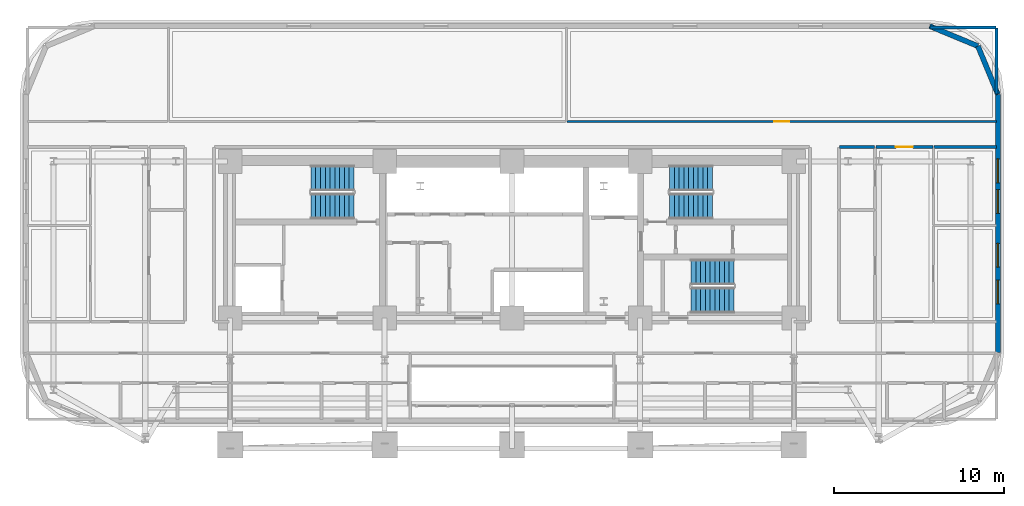
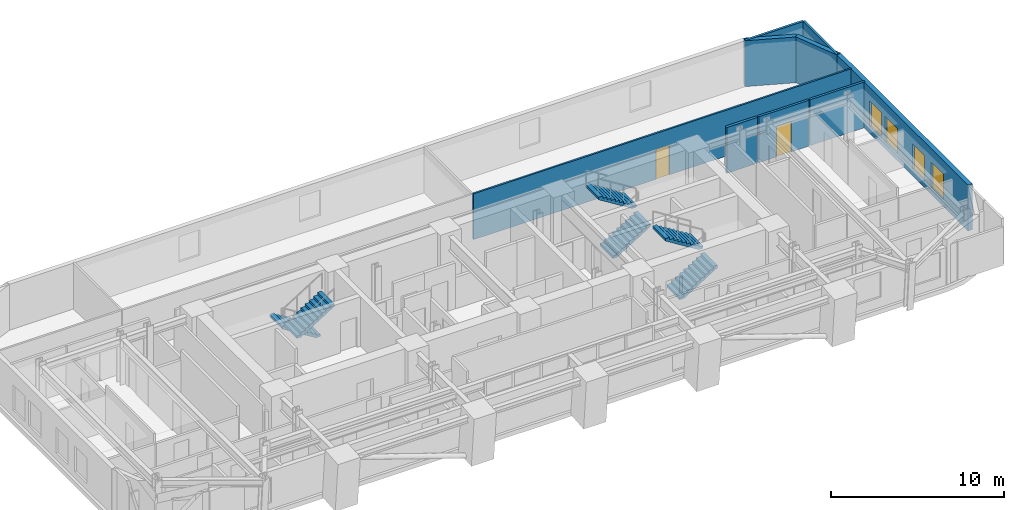
# One storey, part 12 of 16: 9 walls, 6 stair flights, 4 windows, 2 doors, 6 openings, 3 elements without a shape of their own.
"""IFC4 building model written with IfcOpenShell, lengths in metres."""

from ifc_helpers import new_model, si_unit, direction, frame, frame_2d, origin, place, context, subcontext, project, spatial, polyline, rectangle, outline, extrude, material, layer, layer_set, type_object, element, fill, aggregate, save


model = new_model("IFC4")

# Units and contexts
model_context = context("Model", 3, precision=1e-05, world=origin(), true_north=direction((0.0, 1.0)))
body_context = subcontext(model_context, "Body", "Model", "MODEL_VIEW")
ifc_project = project(units=[si_unit("LENGTHUNIT", "METRE"), si_unit("AREAUNIT", "SQUARE_METRE"), si_unit("VOLUMEUNIT", "CUBIC_METRE"), si_unit("PLANEANGLEUNIT", "RADIAN"), si_unit("MASSUNIT", "GRAM", prefix="KILO")], contexts=[model_context])

# Site, building, storey
site_placement = place(None, origin())
site = spatial("IfcSite", under=ifc_project, at=site_placement, CompositionType="ELEMENT")
building_placement = place(site_placement, origin())
building = spatial("IfcBuilding", under=site, at=building_placement, Name="Zarnavel Station Tower", CompositionType="ELEMENT")
storey_placement = place(building_placement, frame((0.0, 0.0, 64.0)))
storey = spatial("IfcBuildingStorey", under=building, at=storey_placement, Name="L17", CompositionType="ELEMENT", Elevation=64.0)

# Wall, openings, windows
ifc_material_1 = material(Name="Precast concrete C45/55 (Dark Basalt Finish)", Category="masonry")
ifc_layer_1 = layer(ifc_material_1, 0.300048828125)
ifc_layer_set_1 = layer_set([ifc_layer_1], Name="EW_BASALT_300")
wall_type_1 = type_object("IfcWallType", Name="EW_BASALT_300", PredefinedType="SOLIDWALL", material=ifc_layer_set_1)
wall_1_placement = place(storey_placement, frame((57.419921875, 41.0, 0.0), z_axis=(0.0, 0.0, 1.0), x_axis=(0.0, -1.0, 0.0)))
wall_1 = element("IfcWall", 1, at=wall_1_placement, inside=storey, type_object=wall_type_1, Name="L17 Exterior Basalt Masonry Frame Wall 03", PredefinedType="SOLIDWALL", context=body_context, shape_type="SweptSolid", body=[
    extrude(rectangle(XDim=15.199951171875, YDim=0.300048828125, at=frame_2d((7.60009765625, 0.0))), origin(), (0.0, 0.0, 1.0), 3.239990234375),
])
opening_1_placement = place(wall_1_placement, frame((8.78076171875, 0.0, 0.47998046875)))
opening_1 = element("IfcOpeningElement", 2, at=opening_1_placement, cuts=wall_1, Name="Opening WN01", PredefinedType="OPENING", context=body_context, shape_type="SweptSolid", body=[
    extrude(rectangle(XDim=1.39990234375, YDim=1.800048828125, at=frame_2d((0.699951171875, 0.89990234375))), frame((0.0, 0.159912109375, 0.0), z_axis=(0.0, -1.0, 0.0), x_axis=(1.0, 0.0, 0.0)), (0.0, 0.0, 1.0), 0.320068359375),
])
opening_2_placement = place(wall_1_placement, frame((10.940185546875, 0.0, 0.47998046875)))
opening_2 = element("IfcOpeningElement", 3, at=opening_2_placement, cuts=wall_1, Name="Opening WN01", PredefinedType="OPENING", context=body_context, shape_type="SweptSolid", body=[
    extrude(rectangle(XDim=1.39990234375, YDim=1.800048828125, at=frame_2d((0.699951171875, 0.89990234375))), frame((0.0, 0.159912109375, 0.0), z_axis=(0.0, -1.0, 0.0), x_axis=(1.0, 0.0, 0.0)), (0.0, 0.0, 1.0), 0.320068359375),
])
opening_3_placement = place(wall_1_placement, frame((3.806884765625, 0.0, 0.47998046875)))
opening_3 = element("IfcOpeningElement", 4, at=opening_3_placement, cuts=wall_1, Name="Opening WN01", PredefinedType="OPENING", context=body_context, shape_type="SweptSolid", body=[
    extrude(rectangle(XDim=1.39990234375, YDim=1.800048828125, at=frame_2d((0.699951171875, 0.89990234375))), frame((0.0, 0.159912109375, 0.0), z_axis=(0.0, -1.0, 0.0), x_axis=(1.0, 0.0, 0.0)), (0.0, 0.0, 1.0), 0.320068359375),
])
opening_4_placement = place(wall_1_placement, frame((5.614013671875, 0.0, 0.47998046875)))
opening_4 = element("IfcOpeningElement", 5, at=opening_4_placement, cuts=wall_1, Name="Opening WN01", PredefinedType="OPENING", context=body_context, shape_type="SweptSolid", body=[
    extrude(rectangle(XDim=1.39990234375, YDim=1.800048828125, at=frame_2d((0.699951171875, 0.89990234375))), frame((0.0, 0.159912109375, 0.0), z_axis=(0.0, -1.0, 0.0), x_axis=(1.0, 0.0, 0.0)), (0.0, 0.0, 1.0), 0.320068359375),
])
ifc_material_2 = material(Name="Thermally Broken Black Aluminium and Low-E Dark Glass", Category="aluminium")
window_type = type_object("IfcWindowType", Name="WN_1400x1800", PartitioningType="DOUBLE_PANEL_VERTICAL", PredefinedType="WINDOW", material=ifc_material_2)
window_1_placement = place(opening_1_placement, origin())
window_1 = element("IfcWindow", 6, at=window_1_placement, inside=storey, type_object=window_type, Name="L17 Recessed Facade Window 01", OverallHeight=1.800048828125, OverallWidth=1.39990234375, PartitioningType="SINGLE_PANEL", PredefinedType="WINDOW", context=body_context, shape_type="SweptSolid", body=[
    extrude(rectangle(XDim=1.39990234375, YDim=1.800048828125, at=frame_2d((0.699951171875, 0.89990234375))), frame((0.0, 0.030029296875, 0.0), z_axis=(0.0, -1.0, 0.0), x_axis=(1.0, 0.0, 0.0)), (0.0, 0.0, 1.0), 0.06005859375),
])
fill(opening_1, window_1)
window_2_placement = place(opening_2_placement, origin())
window_2 = element("IfcWindow", 7, at=window_2_placement, inside=storey, type_object=window_type, Name="L17 Recessed Facade Window 02", OverallHeight=1.800048828125, OverallWidth=1.39990234375, PartitioningType="SINGLE_PANEL", PredefinedType="WINDOW", context=body_context, shape_type="SweptSolid", body=[
    extrude(rectangle(XDim=1.39990234375, YDim=1.800048828125, at=frame_2d((0.699951171875, 0.89990234375))), frame((0.0, 0.030029296875, 0.0), z_axis=(0.0, -1.0, 0.0), x_axis=(1.0, 0.0, 0.0)), (0.0, 0.0, 1.0), 0.06005859375),
])
fill(opening_2, window_2)
window_3_placement = place(opening_3_placement, origin())
window_3 = element("IfcWindow", 8, at=window_3_placement, inside=storey, type_object=window_type, Name="L17 Recessed Facade Window 03", OverallHeight=1.800048828125, OverallWidth=1.39990234375, PartitioningType="SINGLE_PANEL", PredefinedType="WINDOW", context=body_context, shape_type="SweptSolid", body=[
    extrude(rectangle(XDim=1.39990234375, YDim=1.800048828125, at=frame_2d((0.699951171875, 0.89990234375))), frame((0.0, 0.030029296875, 0.0), z_axis=(0.0, -1.0, 0.0), x_axis=(1.0, 0.0, 0.0)), (0.0, 0.0, 1.0), 0.06005859375),
])
fill(opening_3, window_3)
window_4_placement = place(opening_4_placement, origin())
window_4 = element("IfcWindow", 9, at=window_4_placement, inside=storey, type_object=window_type, Name="L17 Recessed Facade Window 04", OverallHeight=1.800048828125, OverallWidth=1.39990234375, PartitioningType="SINGLE_PANEL", PredefinedType="WINDOW", context=body_context, shape_type="SweptSolid", body=[
    extrude(rectangle(XDim=1.39990234375, YDim=1.800048828125, at=frame_2d((0.699951171875, 0.89990234375))), frame((0.0, 0.030029296875, 0.0), z_axis=(0.0, -1.0, 0.0), x_axis=(1.0, 0.0, 0.0)), (0.0, 0.0, 1.0), 0.06005859375),
])
fill(opening_4, window_4)

# Walls
wall_2_placement = place(storey_placement, frame((56.24267578125, 43.842529296875, 0.0), z_axis=(0.0, 0.0, 1.0), x_axis=(0.382636798336, -0.92389884758, 0.0)))
element("IfcWall", 10, at=wall_2_placement, inside=storey, type_object=wall_type_1, Name="L17 Exterior Basalt Masonry Frame Wall 04", PredefinedType="SOLIDWALL", context=body_context, shape_type="SweptSolid", body=[
    extrude(rectangle(XDim=3.07666015625, YDim=0.300048828125, at=frame_2d((1.538330078125, 0.0))), origin(), (0.0, 0.0, 1.0), 3.239990234375),
])
wall_3_placement = place(storey_placement, frame((53.39990234375, 45.02001953125, 0.0), z_axis=(0.0, 0.0, 1.0), x_axis=(0.923882414032, -0.382676475685, 0.0)))
element("IfcWall", 11, at=wall_3_placement, inside=storey, type_object=wall_type_1, Name="L17 Exterior Basalt Masonry Frame Wall 05", PredefinedType="SOLIDWALL", context=body_context, shape_type="SweptSolid", body=[
    extrude(rectangle(XDim=3.076904296875, YDim=0.300048828125, at=frame_2d((1.53857421875, 0.0))), origin(), (0.0, 0.0, 1.0), 3.239990234375),
])

# Wall, opening, door
ifc_material_3 = material(Name="Gypsum Twin-Stud Acoustic Fire Partition", Category="concrete")
ifc_layer_2 = layer(ifc_material_3, 0.159912109375)
ifc_layer_set_2 = layer_set([ifc_layer_2], Name="PT_DEMISE_160")
wall_type_2 = type_object("IfcWallType", Name="PT_DEMISE_160", PredefinedType="PARTITIONING", material=ifc_layer_set_2)
wall_4_placement = place(storey_placement, frame((50.22705078125, 37.89990234375, 0.0), z_axis=(0.0, 0.0, 1.0), x_axis=(1.0, 0.0, 0.0)))
wall_4 = element("IfcWall", 12, at=wall_4_placement, inside=storey, type_object=wall_type_2, Name="L17 Partition COR-N-FNELV", PredefinedType="PARTITIONING", context=body_context, shape_type="SweptSolid", body=[
    extrude(rectangle(XDim=3.35693359375, YDim=0.159912109375, at=frame_2d((1.678466796875, 0.0))), origin(), (0.0, 0.0, 1.0), 3.239990234375),
])
opening_5_placement = place(wall_4_placement, frame((1.178466796875, 0.0, 0.0)))
opening_5 = element("IfcOpeningElement", 13, at=opening_5_placement, cuts=wall_4, Name="Opening FD02", PredefinedType="OPENING", context=body_context, shape_type="SweptSolid", body=[
    extrude(rectangle(XDim=1.0, YDim=2.14990234375, at=frame_2d((0.5, 1.074951171875))), frame((0.0, 0.08984375, 0.0), z_axis=(0.0, -1.0, 0.0), x_axis=(1.0, 0.0, 0.0)), (0.0, 0.0, 1.0), 0.179931640625),
])
ifc_material_4 = material(Name="Painted Galvanised Steel and Hardwood Leaf", Category="steel")
door_type_1 = type_object("IfcDoorType", Name="ID_ENTRY_1000", OperationType="NOTDEFINED", PredefinedType="DOOR", material=ifc_material_4)
door_1_placement = place(opening_5_placement, origin())
door_1 = element("IfcDoor", 14, at=door_1_placement, inside=storey, type_object=door_type_1, Name="L17 Door COR-N-FNELV", OperationType="SINGLE_SWING_LEFT", OverallHeight=2.14990234375, OverallWidth=1.0, PredefinedType="DOOR", context=body_context, shape_type="SweptSolid", body=[
    extrude(rectangle(XDim=1.0, YDim=2.14990234375, at=frame_2d((0.5, 1.074951171875))), frame((0.0, 0.02490234375, 0.0), z_axis=(0.0, -1.0, 0.0), x_axis=(1.0, 0.0, 0.0)), (0.0, 0.0, 1.0), 0.050048828125),
])
fill(opening_5, door_1)

# Walls
wall_5_placement = place(storey_placement, frame((53.6640625, 37.89990234375, 0.0), z_axis=(0.0, 0.0, 1.0), x_axis=(1.0, 0.0, 0.0)))
element("IfcWall", 15, at=wall_5_placement, inside=storey, type_object=wall_type_2, Name="L17 Partition COR-N-FNEB2", PredefinedType="PARTITIONING", context=body_context, shape_type="SweptSolid", body=[
    extrude(rectangle(XDim=3.676025390625, YDim=0.159912109375, at=frame_2d((1.837890625, 0.0))), origin(), (0.0, 0.0, 1.0), 3.239990234375),
])
wall_6_placement = place(storey_placement, frame((53.429931640625, 44.93994140625, 0.0), z_axis=(0.0, 0.0, 1.0), x_axis=(1.0, 0.0, 0.0)))
element("IfcWall", 16, at=wall_6_placement, inside=storey, type_object=wall_type_2, Name="L17 Enclosure Wall NL5B", PredefinedType="PARTITIONING", context=body_context, shape_type="SweptSolid", body=[
    extrude(rectangle(XDim=3.880126953125, YDim=0.159912109375, at=frame_2d((1.93994140625, 0.0))), origin(), (0.0, 0.0, 1.0), 3.239990234375),
])
wall_7_placement = place(storey_placement, frame((57.340087890625, 41.030029296875, 0.0), z_axis=(0.0, 0.0, 1.0), x_axis=(0.0, 1.0, 0.0)))
element("IfcWall", 17, at=wall_7_placement, inside=storey, type_object=wall_type_2, Name="L17 Enclosure Wall NL5B", PredefinedType="PARTITIONING", context=body_context, shape_type="SweptSolid", body=[
    extrude(rectangle(XDim=3.8798828125, YDim=0.159912109375, at=frame_2d((1.93994140625, 0.0))), origin(), (0.0, 0.0, 1.0), 3.239990234375),
])

# Wall, opening, door
ifc_material_5 = material(Name="Gypsum Metal-Stud Interior Partition", Category="concrete")
ifc_layer_3 = layer(ifc_material_5, 0.1201171875)
ifc_layer_set_3 = layer_set([ifc_layer_3], Name="PT_ROOM_120")
wall_type_3 = type_object("IfcWallType", Name="PT_ROOM_120", PredefinedType="PARTITIONING", material=ifc_layer_set_3)
wall_8_placement = place(storey_placement, frame((32.0400390625, 39.39990234375, 0.0), z_axis=(0.0, 0.0, 1.0), x_axis=(1.0, 0.0, 0.0)))
wall_8 = element("IfcWall", 18, at=wall_8_placement, inside=storey, type_object=wall_type_3, Name="L17 Partition COR-N-NL5B", PredefinedType="PARTITIONING", context=body_context, shape_type="SweptSolid", body=[
    extrude(rectangle(XDim=25.300048828125, YDim=0.1201171875, at=frame_2d((12.64990234375, 0.0))), origin(), (0.0, 0.0, 1.0), 3.239990234375),
])
opening_6_placement = place(wall_8_placement, frame((12.199951171875, 0.0, 0.0)))
opening_6 = element("IfcOpeningElement", 19, at=opening_6_placement, cuts=wall_8, Name="Opening ID01", PredefinedType="OPENING", context=body_context, shape_type="SweptSolid", body=[
    extrude(rectangle(XDim=0.89990234375, YDim=2.10009765625, at=frame_2d((0.449951171875, 1.050048828125))), frame((0.0, 0.070068359375, 0.0), z_axis=(0.0, -1.0, 0.0), x_axis=(1.0, 0.0, 0.0)), (0.0, 0.0, 1.0), 0.14013671875),
])
ifc_material_6 = material(Name="Painted Galvanised Steel and Hardwood Leaf", Category="steel")
door_type_2 = type_object("IfcDoorType", Name="ID_ROOM_900", OperationType="NOTDEFINED", PredefinedType="DOOR", material=ifc_material_6)
door_2_placement = place(opening_6_placement, origin())
door_2 = element("IfcDoor", 20, at=door_2_placement, inside=storey, type_object=door_type_2, Name="L17 Door COR-N-NL5B", OperationType="SINGLE_SWING_RIGHT", OverallHeight=2.10009765625, OverallWidth=0.89990234375, PredefinedType="DOOR", context=body_context, shape_type="SweptSolid", body=[
    extrude(rectangle(XDim=0.89990234375, YDim=2.10009765625, at=frame_2d((0.449951171875, 1.050048828125))), frame((0.0, 0.02490234375, 0.0), z_axis=(0.0, -1.0, 0.0), x_axis=(1.0, 0.0, 0.0)), (0.0, 0.0, 1.0), 0.050048828125),
])
fill(opening_6, door_2)

# Wall
ifc_material_7 = material(Name="Moisture-Resistant Plumbing Chase Wall", Category="concrete")
ifc_layer_4 = layer(ifc_material_7, 0.179931640625)
ifc_layer_set_4 = layer_set([ifc_layer_4], Name="PW_PLUMB_180")
wall_type_4 = type_object("IfcWallType", Name="PW_PLUMB_180", PredefinedType="PLUMBINGWALL", material=ifc_layer_set_4)
wall_9_placement = place(storey_placement, frame((48.090087890625, 37.89990234375, 0.0), z_axis=(0.0, 0.0, 1.0), x_axis=(1.0, 0.0, 0.0)))
element("IfcWall", 21, at=wall_9_placement, inside=storey, type_object=wall_type_4, Name="L17 Partition COR-N-FNEBA", PredefinedType="PLUMBINGWALL", context=body_context, shape_type="SweptSolid", body=[
    extrude(rectangle(XDim=2.056884765625, YDim=0.179931640625, at=frame_2d((1.0283203125, 0.0))), origin(), (0.0, 0.0, 1.0), 3.239990234375),
])

# Stair, stair flights
ifc_material_8 = material(Name="Concrete C45/55", Category="concrete")
stair_type = type_object("IfcStairType", Name="ST_CORE_150", PredefinedType="HALF_TURN_STAIR", material=ifc_material_8)
stair_1_placement = place(storey_placement, origin())
stair_1 = element("IfcStair", 22, at=stair_1_placement, inside=storey, type_object=stair_type, Name="L17 Core Exit Stair ST1", PredefinedType="HALF_TURN_STAIR")
ifc_material_9 = material(Name="Concrete C45/55", Category="concrete")
ifc_layer_5 = layer(ifc_material_9, 0.179931640625)
ifc_layer_set_5 = layer_set([ifc_layer_5], Name="ST_CORE_150_FLT")
stair_flight_type = type_object("IfcStairFlightType", Name="ST_CORE_150_FLT", PredefinedType="STRAIGHT", material=ifc_layer_set_5)
stair_flight_1_placement = place(storey_placement, frame((19.47998046875, 36.070068359375, 0.0), z_axis=(0.0, 0.0, 1.0), x_axis=(-1.0, 0.0, 0.0)))
stair_flight_1 = element("IfcStairFlight", 23, at=stair_flight_1_placement, type_object=stair_flight_type, Name="ST1 flight 1", NumberOfRisers=10, NumberOfTreads=9, PredefinedType="STRAIGHT", RiserHeight=0.175, TreadLength=0.28, context=body_context, shape_type="SweptSolid", body=[
    extrude(outline(polyline([(0.0, 0.0), (0.0, 0.175048828125), (0.280029296875, 0.175048828125), (0.280029296875, 0.35009765625), (0.56005859375, 0.35009765625), (0.56005859375, 0.52490234375), (0.840087890625, 0.52490234375), (0.840087890625, 0.699951171875), (1.1201171875, 0.699951171875), (1.1201171875, 0.875), (1.39990234375, 0.875), (1.39990234375, 1.050048828125), (1.679931640625, 1.050048828125), (1.679931640625, 1.22509765625), (1.9599609375, 1.22509765625), (1.9599609375, 1.39990234375), (2.239990234375, 1.39990234375), (2.239990234375, 1.574951171875), (2.52001953125, 1.574951171875), (2.52001953125, 1.75), (2.52001953125, 1.398193359375), (0.28271484375, 0.0), (0.0, 0.0)])), frame((0.0, 0.75, 0.0), z_axis=(0.0, -1.0, 0.0), x_axis=(1.0, 0.0, 0.0)), (0.0, 0.0, 1.0), 1.5),
])
stair_flight_2_placement = place(storey_placement, frame((16.9599609375, 34.409912109375, 1.75), z_axis=(0.0, 0.0, 1.0), x_axis=(1.0, 0.0, 0.0)))
stair_flight_2 = element("IfcStairFlight", 24, at=stair_flight_2_placement, type_object=stair_flight_type, Name="ST1 flight 2", NumberOfRisers=10, NumberOfTreads=9, PredefinedType="STRAIGHT", RiserHeight=0.175, TreadLength=0.28, context=body_context, shape_type="SweptSolid", body=[
    extrude(outline(polyline([(0.0, 0.0), (0.0, 0.175048828125), (0.280029296875, 0.175048828125), (0.280029296875, 0.35009765625), (0.56005859375, 0.35009765625), (0.56005859375, 0.52490234375), (0.840087890625, 0.52490234375), (0.840087890625, 0.699951171875), (1.1201171875, 0.699951171875), (1.1201171875, 0.875), (1.39990234375, 0.875), (1.39990234375, 1.050048828125), (1.679931640625, 1.050048828125), (1.679931640625, 1.22509765625), (1.9599609375, 1.22509765625), (1.9599609375, 1.39990234375), (2.239990234375, 1.39990234375), (2.239990234375, 1.574951171875), (2.52001953125, 1.574951171875), (2.52001953125, 1.75), (2.52001953125, 1.398193359375), (0.28271484375, 0.0), (0.0, 0.0)])), frame((0.0, 0.75, 0.0), z_axis=(0.0, -1.0, 0.0), x_axis=(1.0, 0.0, 0.0)), (0.0, 0.0, 1.0), 1.5),
])
aggregate(stair_1, [stair_flight_1, stair_flight_2])

stair_2_placement = place(storey_placement, origin())
stair_2 = element("IfcStair", 25, at=stair_2_placement, inside=storey, type_object=stair_type, Name="L17 Core Exit Stair ST2", PredefinedType="HALF_TURN_STAIR")
stair_flight_3_placement = place(storey_placement, frame((38.080078125, 34.409912109375, 0.0), z_axis=(0.0, 0.0, 1.0), x_axis=(1.0, 0.0, 0.0)))
stair_flight_3 = element("IfcStairFlight", 26, at=stair_flight_3_placement, type_object=stair_flight_type, Name="ST2 flight 1", NumberOfRisers=10, NumberOfTreads=9, PredefinedType="STRAIGHT", RiserHeight=0.175, TreadLength=0.28, context=body_context, shape_type="SweptSolid", body=[
    extrude(outline(polyline([(0.0, 0.0), (0.0, 0.175048828125), (0.280029296875, 0.175048828125), (0.280029296875, 0.35009765625), (0.56005859375, 0.35009765625), (0.56005859375, 0.52490234375), (0.840087890625, 0.52490234375), (0.840087890625, 0.699951171875), (1.1201171875, 0.699951171875), (1.1201171875, 0.875), (1.39990234375, 0.875), (1.39990234375, 1.050048828125), (1.679931640625, 1.050048828125), (1.679931640625, 1.22509765625), (1.9599609375, 1.22509765625), (1.9599609375, 1.39990234375), (2.239990234375, 1.39990234375), (2.239990234375, 1.574951171875), (2.52001953125, 1.574951171875), (2.52001953125, 1.75), (2.52001953125, 1.398193359375), (0.28271484375, 0.0), (0.0, 0.0)])), frame((0.0, 0.75, 0.0), z_axis=(0.0, -1.0, 0.0), x_axis=(1.0, 0.0, 0.0)), (0.0, 0.0, 1.0), 1.5),
])
stair_flight_4_placement = place(storey_placement, frame((40.60009765625, 36.070068359375, 1.75), z_axis=(0.0, 0.0, 1.0), x_axis=(-1.0, 0.0, 0.0)))
stair_flight_4 = element("IfcStairFlight", 27, at=stair_flight_4_placement, type_object=stair_flight_type, Name="ST2 flight 2", NumberOfRisers=10, NumberOfTreads=9, PredefinedType="STRAIGHT", RiserHeight=0.175, TreadLength=0.28, context=body_context, shape_type="SweptSolid", body=[
    extrude(outline(polyline([(0.0, 0.0), (0.0, 0.175048828125), (0.280029296875, 0.175048828125), (0.280029296875, 0.35009765625), (0.56005859375, 0.35009765625), (0.56005859375, 0.52490234375), (0.840087890625, 0.52490234375), (0.840087890625, 0.699951171875), (1.1201171875, 0.699951171875), (1.1201171875, 0.875), (1.39990234375, 0.875), (1.39990234375, 1.050048828125), (1.679931640625, 1.050048828125), (1.679931640625, 1.22509765625), (1.9599609375, 1.22509765625), (1.9599609375, 1.39990234375), (2.239990234375, 1.39990234375), (2.239990234375, 1.574951171875), (2.52001953125, 1.574951171875), (2.52001953125, 1.75), (2.52001953125, 1.398193359375), (0.28271484375, 0.0), (0.0, 0.0)])), frame((0.0, 0.75, 0.0), z_axis=(0.0, -1.0, 0.0), x_axis=(1.0, 0.0, 0.0)), (0.0, 0.0, 1.0), 1.5),
])
aggregate(stair_2, [stair_flight_3, stair_flight_4])

stair_3_placement = place(storey_placement, origin())
stair_3 = element("IfcStair", 28, at=stair_3_placement, inside=storey, type_object=stair_type, Name="L17 Core Exit Stair ST3", PredefinedType="HALF_TURN_STAIR")
stair_flight_5_placement = place(storey_placement, frame((39.35009765625, 28.8701171875, 0.0), z_axis=(0.0, 0.0, 1.0), x_axis=(1.0, 0.0, 0.0)))
stair_flight_5 = element("IfcStairFlight", 29, at=stair_flight_5_placement, type_object=stair_flight_type, Name="ST3 flight 1", NumberOfRisers=10, NumberOfTreads=9, PredefinedType="STRAIGHT", RiserHeight=0.175, TreadLength=0.28, context=body_context, shape_type="SweptSolid", body=[
    extrude(outline(polyline([(0.0, 0.0), (0.0, 0.175048828125), (0.280029296875, 0.175048828125), (0.280029296875, 0.35009765625), (0.56005859375, 0.35009765625), (0.56005859375, 0.52490234375), (0.840087890625, 0.52490234375), (0.840087890625, 0.699951171875), (1.1201171875, 0.699951171875), (1.1201171875, 0.875), (1.39990234375, 0.875), (1.39990234375, 1.050048828125), (1.679931640625, 1.050048828125), (1.679931640625, 1.22509765625), (1.9599609375, 1.22509765625), (1.9599609375, 1.39990234375), (2.239990234375, 1.39990234375), (2.239990234375, 1.574951171875), (2.52001953125, 1.574951171875), (2.52001953125, 1.75), (2.52001953125, 1.398193359375), (0.28271484375, 0.0), (0.0, 0.0)])), frame((0.0, 0.75, 0.0), z_axis=(0.0, -1.0, 0.0), x_axis=(1.0, 0.0, 0.0)), (0.0, 0.0, 1.0), 1.5),
])
stair_flight_6_placement = place(storey_placement, frame((41.8701171875, 30.530029296875, 1.75), z_axis=(0.0, 0.0, 1.0), x_axis=(-1.0, 0.0, 0.0)))
stair_flight_6 = element("IfcStairFlight", 30, at=stair_flight_6_placement, type_object=stair_flight_type, Name="ST3 flight 2", NumberOfRisers=10, NumberOfTreads=9, PredefinedType="STRAIGHT", RiserHeight=0.175, TreadLength=0.28, context=body_context, shape_type="SweptSolid", body=[
    extrude(outline(polyline([(0.0, 0.0), (0.0, 0.175048828125), (0.280029296875, 0.175048828125), (0.280029296875, 0.35009765625), (0.56005859375, 0.35009765625), (0.56005859375, 0.52490234375), (0.840087890625, 0.52490234375), (0.840087890625, 0.699951171875), (1.1201171875, 0.699951171875), (1.1201171875, 0.875), (1.39990234375, 0.875), (1.39990234375, 1.050048828125), (1.679931640625, 1.050048828125), (1.679931640625, 1.22509765625), (1.9599609375, 1.22509765625), (1.9599609375, 1.39990234375), (2.239990234375, 1.39990234375), (2.239990234375, 1.574951171875), (2.52001953125, 1.574951171875), (2.52001953125, 1.75), (2.52001953125, 1.398193359375), (0.28271484375, 0.0), (0.0, 0.0)])), frame((0.0, 0.75, 0.0), z_axis=(0.0, -1.0, 0.0), x_axis=(1.0, 0.0, 0.0)), (0.0, 0.0, 1.0), 1.5),
])
aggregate(stair_3, [stair_flight_5, stair_flight_6])

save(model, "model.ifc")
